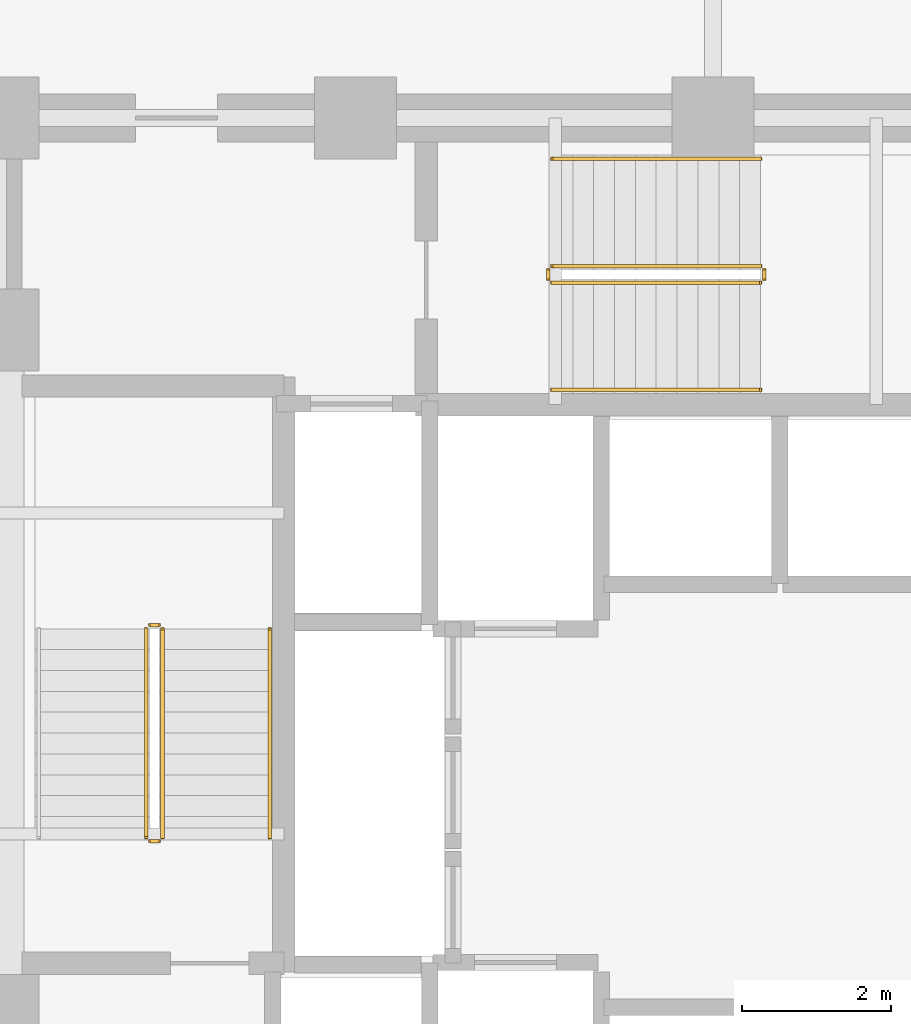
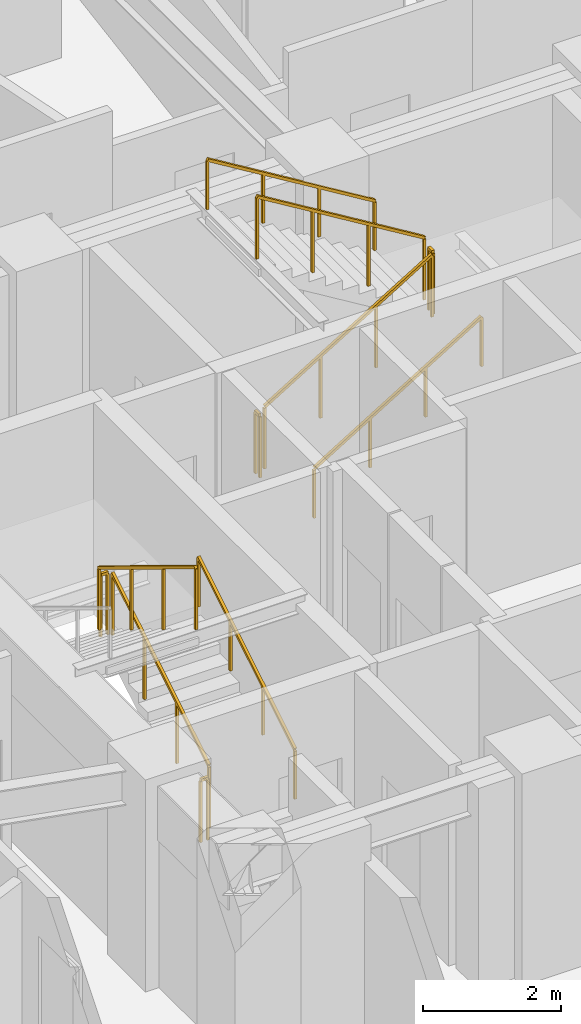
# One storey, part 13 of 16: 11 railings.
"""IFC4 building model written with IfcOpenShell, lengths in metres."""

import ifcopenshell
import ifcopenshell.guid

model = None  # the IFC model being written
_history = None  # IfcOwnerHistory: only IFC2X3 demands one
_inside = {}  # id of a spatial element -> (the spatial element, [elements in it])
_under = {}  # id of a project, library or spatial element -> (it, [spatial elements below it])
_declared = {}  # id of a project -> (the project, [libraries it declares])
_typed = {}  # id of a type object -> (the type object, [elements of that type])
_made_of = {}  # id of a material, layer set ... -> (it, [elements and type objects made of it])


def new_model(schema):
    """Start an empty IFC model of exactly this schema.

    Asked for "IFC4X3", IfcOpenShell would pick the latest addendum, in which some entities
    have other attributes; the version numbers below select the first issue.
    IFC2X3 requires an IfcOwnerHistory on every rooted entity: one is made here for all.
    """
    global model, _history
    if schema == "IFC4X3":
        model = ifcopenshell.file(schema_version=(4, 3, 0, 0))
    else:
        model = ifcopenshell.file(schema=schema)
    _inside.clear()
    _under.clear()
    _declared.clear()
    _typed.clear()
    _made_of.clear()
    _history = None
    if model.schema == "IFC2X3":
        org = make("IfcOrganization", Name="unknown")
        user = make(
            "IfcPersonAndOrganization",
            ThePerson=make("IfcPerson", FamilyName="unknown"),
            TheOrganization=org,
        )
        app = make(
            "IfcApplication",
            ApplicationDeveloper=org,
            Version="unknown",
            ApplicationFullName="unknown",
            ApplicationIdentifier="unknown",
        )
        _history = make(
            "IfcOwnerHistory",
            OwningUser=user,
            OwningApplication=app,
            ChangeAction="ADDED",
            CreationDate=0,
        )
    return model


def make(cls, **values):
    """One entity of the class cls with the attributes given. An attribute that is None is left unset."""
    return model.create_entity(
        cls, **{name: value for name, value in values.items() if value is not None}
    )


def rooted(cls, **values):
    """An entity with a GlobalId (a new one), such as an element, a storey or a relation."""
    return make(cls, GlobalId=ifcopenshell.guid.new(), OwnerHistory=_history, **values)


def si_unit(unit_type, name, prefix=None):
    """IfcSIUnit, for example si_unit("LENGTHUNIT", "METRE", prefix="MILLI")."""
    return make("IfcSIUnit", UnitType=unit_type, Prefix=prefix, Name=name)


def assignment(units):
    """IfcUnitAssignment: the units of a project."""
    return None if units is None else make("IfcUnitAssignment", Units=units)


def point(xyz):
    """IfcCartesianPoint."""
    return None if xyz is None else make("IfcCartesianPoint", Coordinates=xyz)


def direction(xyz):
    """IfcDirection."""
    return None if xyz is None else make("IfcDirection", DirectionRatios=xyz)


def frame(location, z_axis=None, x_axis=None):
    """IfcAxis2Placement3D, a coordinate frame: its origin and axes. An axis left out is left unset."""
    return make(
        "IfcAxis2Placement3D",
        Location=point(location),
        Axis=direction(z_axis),
        RefDirection=direction(x_axis),
    )


def frame_2d(location, x_axis=None):
    """IfcAxis2Placement2D, a coordinate frame in the plane: its origin and x axis."""
    return make(
        "IfcAxis2Placement2D", Location=point(location), RefDirection=direction(x_axis)
    )


def origin():
    """The frame at (0, 0, 0) with its axes left unset."""
    return frame((0.0, 0.0, 0.0))


def origin_2d():
    """The frame at (0, 0) in the plane with its x axis left unset."""
    return frame_2d((0.0, 0.0))


def place(relative_to, where):
    """IfcLocalPlacement: puts the frame where relative to a parent placement (None: the world)."""
    return make(
        "IfcLocalPlacement", PlacementRelTo=relative_to, RelativePlacement=where
    )


def context(
    kind, dimensions, precision=None, world=None, true_north=None, identifier=None
):
    """IfcGeometricRepresentationContext, for example the 3D "Model" context."""
    return make(
        "IfcGeometricRepresentationContext",
        ContextIdentifier=identifier,
        ContextType=kind,
        CoordinateSpaceDimension=dimensions,
        Precision=precision,
        WorldCoordinateSystem=world,
        TrueNorth=true_north,
    )


def subcontext(parent, identifier, kind, view, scale=None):
    """IfcGeometricRepresentationSubContext, for example "Body" below "Model"."""
    return make(
        "IfcGeometricRepresentationSubContext",
        ContextIdentifier=identifier,
        ContextType=kind,
        ParentContext=parent,
        TargetScale=scale,
        TargetView=view,
    )


def project(units=None, contexts=None):
    """IfcProject with its units and contexts."""
    return rooted(
        "IfcProject",
        Name="project",
        RepresentationContexts=contexts,
        UnitsInContext=assignment(units),
    )


def spatial(cls, under=None, at=None, **own):
    """A site, building, storey or space (cls), placed at a placement, below another one or the project."""
    s = rooted(cls, ObjectPlacement=at, **own)
    if under is not None:
        _under.setdefault(under.id(), (under, []))[1].append(s)
    return s


def profile(cls, at=None, kind="AREA", **sizes):
    """A parametric profile (cls). Its sizes go by their IFC names, for example OverallWidth=200.0."""
    return make(cls, ProfileType=kind, Position=at, **sizes)


def rectangle(**sizes):
    """IfcRectangleProfileDef."""
    return profile("IfcRectangleProfileDef", **sizes)


def extrude(swept, where, along, depth):
    """IfcExtrudedAreaSolid: the profile swept, set in the frame where, extruded along a direction by depth."""
    return make(
        "IfcExtrudedAreaSolid",
        SweptArea=swept,
        Position=where,
        ExtrudedDirection=direction(along),
        Depth=depth,
    )


def shape(context_of_items, identifier, shape_type, items):
    """IfcShapeRepresentation: the items that make up one representation, for example the "Body"."""
    return make(
        "IfcShapeRepresentation",
        ContextOfItems=context_of_items,
        RepresentationIdentifier=identifier,
        RepresentationType=shape_type,
        Items=items,
    )


def material(Name=None, Category=None):
    """IfcMaterial."""
    return make("IfcMaterial", Name=Name, Category=Category)


def made_of(thing, what):
    """Note that an element or type object is made of a material, layer set ...; save() writes the relation."""
    if what is not None:
        _made_of.setdefault(what.id(), (what, []))[1].append(thing)
    return thing


def type_object(cls, material=None, **own):
    """A type object (cls), such as IfcWallType, which elements share."""
    return made_of(rooted(cls, **own), material)


def element(
    cls,
    number,
    at=None,
    inside=None,
    cuts=None,
    type_object=None,
    material=None,
    context=None,
    identifier="Body",
    shape_type=None,
    held_by="IfcProductDefinitionShape",
    body=None,
    shapes=None,
    **own,
):
    """One element of the class cls, such as IfcWall. Its Tag is "e" and its number.

    at: its placement. inside: the storey or other place that contains it. cuts: it is an
    opening in that element (IfcRelVoidsElement). A single representation is given by context,
    identifier, shape_type and body (its items); several are given by shapes. held_by: the class
    of the entity that holds the representations. save() writes the other relations.
    """
    e = rooted(cls, Tag="e%d" % number, ObjectPlacement=at, **own)
    if body is not None:
        shapes = [shape(context, identifier, shape_type, body)]
    if shapes is not None:
        e.Representation = make(held_by, Representations=shapes)
    if inside is not None:
        _inside.setdefault(inside.id(), (inside, []))[1].append(e)
    if cuts is not None:
        rooted(
            "IfcRelVoidsElement", RelatingBuildingElement=cuts, RelatedOpeningElement=e
        )
    if type_object is not None:
        _typed.setdefault(type_object.id(), (type_object, []))[1].append(e)
    return made_of(e, material)


def aggregate(whole, parts):
    """IfcRelAggregates: a whole, such as a stair, and the parts it consists of."""
    return rooted("IfcRelAggregates", RelatingObject=whole, RelatedObjects=parts)


def save(model, path):
    """Write the relations noted so far, then the file.

    IfcRelAggregates (storeys below a building ...), IfcRelContainedInSpatialStructure (elements
    in a storey), IfcRelDefinesByType, IfcRelAssociatesMaterial and IfcRelDeclares: one each for
    every whole, place, type object, material and project.
    """
    for whole, parts in _under.values():
        aggregate(whole, parts)
    for where, things in _inside.values():
        rooted(
            "IfcRelContainedInSpatialStructure",
            RelatedElements=things,
            RelatingStructure=where,
        )
    for kind, things in _typed.values():
        rooted("IfcRelDefinesByType", RelatedObjects=things, RelatingType=kind)
    for what, things in _made_of.values():
        rooted("IfcRelAssociatesMaterial", RelatedObjects=things, RelatingMaterial=what)
    for by, libraries in _declared.values():
        rooted("IfcRelDeclares", RelatingContext=by, RelatedDefinitions=libraries)
    model.write(path)


model = new_model("IFC4")

# Units and contexts
model_context = context("Model", 3, precision=1e-05, world=origin(), true_north=direction((0.0, 1.0)))
body_context = subcontext(model_context, "Body", "Model", "MODEL_VIEW")
ifc_project = project(units=[si_unit("LENGTHUNIT", "METRE"), si_unit("AREAUNIT", "SQUARE_METRE"), si_unit("VOLUMEUNIT", "CUBIC_METRE"), si_unit("PLANEANGLEUNIT", "RADIAN"), si_unit("MASSUNIT", "GRAM", prefix="KILO")], contexts=[model_context])

# Site, building, storey
site_placement = place(None, origin())
site = spatial("IfcSite", under=ifc_project, at=site_placement, CompositionType="ELEMENT")
building_placement = place(site_placement, origin())
building = spatial("IfcBuilding", under=site, at=building_placement, Name="Vantalir Tower", CompositionType="ELEMENT")
storey_placement = place(building_placement, frame((0.0, 0.0, 64.5)))
storey = spatial("IfcBuildingStorey", under=building, at=storey_placement, Name="L15", CompositionType="ELEMENT", Elevation=64.5)

# Railings
ifc_material_1 = material(Name="Anodised aluminium and stainless steel guard", Category="steel")
railing_type_1 = type_object("IfcRailingType", Name="RAL-GUARD-1120", PredefinedType="GUARDRAIL", material=ifc_material_1)
railing_1_placement = place(storey_placement, frame((24.110107421875, 22.7900390625, 0.17041015625)))
element("IfcRailing", 1, at=railing_1_placement, inside=storey, type_object=railing_type_1, Name="L15 ST1 stair guard 1", PredefinedType="GUARDRAIL", context=body_context, shape_type="SweptSolid", body=[
    extrude(rectangle(XDim=0.048095703125, YDim=0.048095703125, at=origin_2d()), frame((0.0, 0.0, 1.09619140625), z_axis=(0.0, 0.854169791009, 0.51999420009), x_axis=(-1.0, 0.0, 0.0)), (0.0, 0.0, 1.0), 3.278076171875),
    extrude(rectangle(XDim=0.0419921875, YDim=0.0419921875, at=origin_2d()), origin(), (0.0, 0.0, 1.0), 1.072021484375),
    extrude(rectangle(XDim=0.0419921875, YDim=0.0419921875, at=origin_2d()), frame((0.0, 0.933349609375, 0.568115234375)), (0.0, 0.0, 1.0), 1.072021484375),
    extrude(rectangle(XDim=0.0419921875, YDim=0.0419921875, at=origin_2d()), frame((0.0, 1.86669921875, 1.136474609375)), (0.0, 0.0, 1.0), 1.072021484375),
    extrude(rectangle(XDim=0.0419921875, YDim=0.0419921875, at=origin_2d()), frame((0.0, 2.800048828125, 1.70458984375)), (0.0, 0.0, 1.0), 1.072021484375),
])
railing_2_placement = place(storey_placement, frame((24.06005859375, 25.639892578125, 1.875)))
element("IfcRailing", 2, at=railing_2_placement, inside=storey, type_object=railing_type_1, Name="L15 ST1 stair guard 2", PredefinedType="GUARDRAIL", context=body_context, shape_type="SweptSolid", body=[
    extrude(rectangle(XDim=0.048095703125, YDim=0.048095703125, at=origin_2d()), frame((0.0, 0.0, 1.09619140625), z_axis=(-1.0, 0.0, 0.0), x_axis=(0.0, -1.0, 0.0)), (0.0, 0.0, 1.0), 0.1201171875),
    extrude(rectangle(XDim=0.0419921875, YDim=0.0419921875, at=origin_2d()), origin(), (0.0, 0.0, 1.0), 1.072021484375),
    extrude(rectangle(XDim=0.0419921875, YDim=0.0419921875, at=origin_2d()), frame((-0.1201171875, 0.0, 0.0)), (0.0, 0.0, 1.0), 1.072021484375),
])
railing_3_placement = place(storey_placement, frame((23.889892578125, 25.590087890625, 2.04541015625)))
element("IfcRailing", 3, at=railing_3_placement, inside=storey, type_object=railing_type_1, Name="L15 ST1 stair guard 3", PredefinedType="GUARDRAIL", context=body_context, shape_type="SweptSolid", body=[
    extrude(rectangle(XDim=0.048095703125, YDim=0.048095703125, at=origin_2d()), frame((0.0, 0.0, 1.09619140625), z_axis=(0.0, -0.854169791009, 0.51999420009), x_axis=(1.0, 0.0, 0.0)), (0.0, 0.0, 1.0), 3.278076171875),
    extrude(rectangle(XDim=0.0419921875, YDim=0.0419921875, at=origin_2d()), origin(), (0.0, 0.0, 1.0), 1.072021484375),
    extrude(rectangle(XDim=0.0419921875, YDim=0.0419921875, at=origin_2d()), frame((0.0, -0.933349609375, 0.568115234375)), (0.0, 0.0, 1.0), 1.072021484375),
    extrude(rectangle(XDim=0.0419921875, YDim=0.0419921875, at=origin_2d()), frame((0.0, -1.86669921875, 1.136474609375)), (0.0, 0.0, 1.0), 1.072021484375),
    extrude(rectangle(XDim=0.0419921875, YDim=0.0419921875, at=origin_2d()), frame((0.0, -2.800048828125, 1.70458984375)), (0.0, 0.0, 1.0), 1.072021484375),
])
railing_4_placement = place(storey_placement, frame((24.06005859375, 22.739990234375, 0.0)))
element("IfcRailing", 4, at=railing_4_placement, inside=storey, type_object=railing_type_1, Name="L15 ST1 stair guard 4", PredefinedType="GUARDRAIL", context=body_context, shape_type="SweptSolid", body=[
    extrude(rectangle(XDim=0.048095703125, YDim=0.048095703125, at=origin_2d()), frame((0.0, 0.0, 1.09619140625), z_axis=(-1.0, 0.0, 0.0), x_axis=(0.0, -1.0, 0.0)), (0.0, 0.0, 1.0), 0.1201171875),
    extrude(rectangle(XDim=0.0419921875, YDim=0.0419921875, at=origin_2d()), origin(), (0.0, 0.0, 1.0), 1.072021484375),
    extrude(rectangle(XDim=0.0419921875, YDim=0.0419921875, at=origin_2d()), frame((-0.1201171875, 0.0, 0.0)), (0.0, 0.0, 1.0), 1.072021484375),
])
railing_5_placement = place(storey_placement, frame((29.340087890625, 30.239990234375, 0.17041015625)))
element("IfcRailing", 5, at=railing_5_placement, inside=storey, type_object=railing_type_1, Name="L15 ST3 stair guard 1", PredefinedType="GUARDRAIL", context=body_context, shape_type="SweptSolid", body=[
    extrude(rectangle(XDim=0.048095703125, YDim=0.048095703125, at=origin_2d()), frame((0.0, 0.0, 1.09619140625), z_axis=(0.854149651119, 0.0, 0.520027281489), x_axis=(0.0, 1.0, 0.0)), (0.0, 0.0, 1.0), 3.27783203125),
    extrude(rectangle(XDim=0.0419921875, YDim=0.0419921875, at=origin_2d()), origin(), (0.0, 0.0, 1.0), 1.072021484375),
    extrude(rectangle(XDim=0.0419921875, YDim=0.0419921875, at=origin_2d()), frame((0.933349609375, 0.0, 0.568115234375)), (0.0, 0.0, 1.0), 1.072021484375),
    extrude(rectangle(XDim=0.0419921875, YDim=0.0419921875, at=origin_2d()), frame((1.866455078125, 0.0, 1.136474609375)), (0.0, 0.0, 1.0), 1.072021484375),
    extrude(rectangle(XDim=0.0419921875, YDim=0.0419921875, at=origin_2d()), frame((2.7998046875, 0.0, 1.70458984375)), (0.0, 0.0, 1.0), 1.072021484375),
])
railing_6_placement = place(storey_placement, frame((32.18994140625, 30.2900390625, 1.875)))
element("IfcRailing", 6, at=railing_6_placement, inside=storey, type_object=railing_type_1, Name="L15 ST3 stair guard 2", PredefinedType="GUARDRAIL", context=body_context, shape_type="SweptSolid", body=[
    extrude(rectangle(XDim=0.048095703125, YDim=0.048095703125, at=origin_2d()), frame((0.0, 0.0, 1.09619140625), z_axis=(0.0, 1.0, 0.0), x_axis=(-1.0, 0.0, 0.0)), (0.0, 0.0, 1.0), 0.119873046875),
    extrude(rectangle(XDim=0.0419921875, YDim=0.0419921875, at=origin_2d()), origin(), (0.0, 0.0, 1.0), 1.072021484375),
    extrude(rectangle(XDim=0.0419921875, YDim=0.0419921875, at=origin_2d()), frame((0.0, 0.119873046875, 0.0)), (0.0, 0.0, 1.0), 1.072021484375),
])
railing_7_placement = place(storey_placement, frame((32.139892578125, 30.4599609375, 2.04541015625)))
element("IfcRailing", 7, at=railing_7_placement, inside=storey, type_object=railing_type_1, Name="L15 ST3 stair guard 3", PredefinedType="GUARDRAIL", context=body_context, shape_type="SweptSolid", body=[
    extrude(rectangle(XDim=0.048095703125, YDim=0.048095703125, at=origin_2d()), frame((0.0, 0.0, 1.09619140625), z_axis=(-0.854149651119, 0.0, 0.520027281489), x_axis=(0.0, -1.0, 0.0)), (0.0, 0.0, 1.0), 3.27783203125),
    extrude(rectangle(XDim=0.0419921875, YDim=0.0419921875, at=origin_2d()), origin(), (0.0, 0.0, 1.0), 1.072021484375),
    extrude(rectangle(XDim=0.0419921875, YDim=0.0419921875, at=origin_2d()), frame((-0.933349609375, 0.0, 0.568115234375)), (0.0, 0.0, 1.0), 1.072021484375),
    extrude(rectangle(XDim=0.0419921875, YDim=0.0419921875, at=origin_2d()), frame((-1.866455078125, 0.0, 1.136474609375)), (0.0, 0.0, 1.0), 1.072021484375),
    extrude(rectangle(XDim=0.0419921875, YDim=0.0419921875, at=origin_2d()), frame((-2.7998046875, 0.0, 1.70458984375)), (0.0, 0.0, 1.0), 1.072021484375),
])
railing_8_placement = place(storey_placement, frame((29.2900390625, 30.2900390625, 0.0)))
element("IfcRailing", 8, at=railing_8_placement, inside=storey, type_object=railing_type_1, Name="L15 ST3 stair guard 4", PredefinedType="GUARDRAIL", context=body_context, shape_type="SweptSolid", body=[
    extrude(rectangle(XDim=0.048095703125, YDim=0.048095703125, at=origin_2d()), frame((0.0, 0.0, 1.09619140625), z_axis=(0.0, 1.0, 0.0), x_axis=(-1.0, 0.0, 0.0)), (0.0, 0.0, 1.0), 0.119873046875),
    extrude(rectangle(XDim=0.0419921875, YDim=0.0419921875, at=origin_2d()), origin(), (0.0, 0.0, 1.0), 1.072021484375),
    extrude(rectangle(XDim=0.0419921875, YDim=0.0419921875, at=origin_2d()), frame((0.0, 0.119873046875, 0.0)), (0.0, 0.0, 1.0), 1.072021484375),
])
ifc_material_2 = material(Name="Brushed stainless steel tubular handrail", Category="steel")
railing_type_2 = type_object("IfcRailingType", Name="RAL-HANDRAIL-900", PredefinedType="HANDRAIL", material=ifc_material_2)
railing_9_placement = place(storey_placement, frame((25.550048828125, 22.7900390625, 0.17041015625)))
element("IfcRailing", 9, at=railing_9_placement, inside=storey, type_object=railing_type_2, Name="L15 ST1 stair handrail 1", PredefinedType="HANDRAIL", context=body_context, shape_type="SweptSolid", body=[
    extrude(rectangle(XDim=0.048095703125, YDim=0.048095703125, at=origin_2d()), frame((0.0, 0.0, 0.8759765625), z_axis=(0.0, 0.854169791009, 0.51999420009), x_axis=(-1.0, 0.0, 0.0)), (0.0, 0.0, 1.0), 3.278076171875),
    extrude(rectangle(XDim=0.0419921875, YDim=0.0419921875, at=origin_2d()), origin(), (0.0, 0.0, 1.0), 0.851806640625),
    extrude(rectangle(XDim=0.0419921875, YDim=0.0419921875, at=origin_2d()), frame((0.0, 0.933349609375, 0.568115234375)), (0.0, 0.0, 1.0), 0.851806640625),
    extrude(rectangle(XDim=0.0419921875, YDim=0.0419921875, at=origin_2d()), frame((0.0, 1.86669921875, 1.136474609375)), (0.0, 0.0, 1.0), 0.851806640625),
    extrude(rectangle(XDim=0.0419921875, YDim=0.0419921875, at=origin_2d()), frame((0.0, 2.800048828125, 1.70458984375)), (0.0, 0.0, 1.0), 0.851806640625),
])
railing_10_placement = place(storey_placement, frame((29.340087890625, 28.800048828125, 0.17041015625)))
element("IfcRailing", 10, at=railing_10_placement, inside=storey, type_object=railing_type_2, Name="L15 ST3 stair handrail 1", PredefinedType="HANDRAIL", context=body_context, shape_type="SweptSolid", body=[
    extrude(rectangle(XDim=0.048095703125, YDim=0.048095703125, at=origin_2d()), frame((0.0, 0.0, 0.8759765625), z_axis=(0.854149651119, 0.0, 0.520027281489), x_axis=(0.0, 1.0, 0.0)), (0.0, 0.0, 1.0), 3.27783203125),
    extrude(rectangle(XDim=0.0419921875, YDim=0.0419921875, at=origin_2d()), origin(), (0.0, 0.0, 1.0), 0.851806640625),
    extrude(rectangle(XDim=0.0419921875, YDim=0.0419921875, at=origin_2d()), frame((0.933349609375, 0.0, 0.568115234375)), (0.0, 0.0, 1.0), 0.851806640625),
    extrude(rectangle(XDim=0.0419921875, YDim=0.0419921875, at=origin_2d()), frame((1.866455078125, 0.0, 1.136474609375)), (0.0, 0.0, 1.0), 0.851806640625),
    extrude(rectangle(XDim=0.0419921875, YDim=0.0419921875, at=origin_2d()), frame((2.7998046875, 0.0, 1.70458984375)), (0.0, 0.0, 1.0), 0.851806640625),
])
railing_11_placement = place(storey_placement, frame((32.139892578125, 31.89990234375, 2.04541015625)))
element("IfcRailing", 11, at=railing_11_placement, inside=storey, type_object=railing_type_2, Name="L15 ST3 stair handrail 2", PredefinedType="HANDRAIL", context=body_context, shape_type="SweptSolid", body=[
    extrude(rectangle(XDim=0.048095703125, YDim=0.048095703125, at=origin_2d()), frame((0.0, 0.0, 0.8759765625), z_axis=(-0.854149651119, 0.0, 0.520027281489), x_axis=(0.0, -1.0, 0.0)), (0.0, 0.0, 1.0), 3.27783203125),
    extrude(rectangle(XDim=0.0419921875, YDim=0.0419921875, at=origin_2d()), origin(), (0.0, 0.0, 1.0), 0.851806640625),
    extrude(rectangle(XDim=0.0419921875, YDim=0.0419921875, at=origin_2d()), frame((-0.933349609375, 0.0, 0.568115234375)), (0.0, 0.0, 1.0), 0.851806640625),
    extrude(rectangle(XDim=0.0419921875, YDim=0.0419921875, at=origin_2d()), frame((-1.866455078125, 0.0, 1.136474609375)), (0.0, 0.0, 1.0), 0.851806640625),
    extrude(rectangle(XDim=0.0419921875, YDim=0.0419921875, at=origin_2d()), frame((-2.7998046875, 0.0, 1.70458984375)), (0.0, 0.0, 1.0), 0.851806640625),
])

save(model, "model.ifc")
